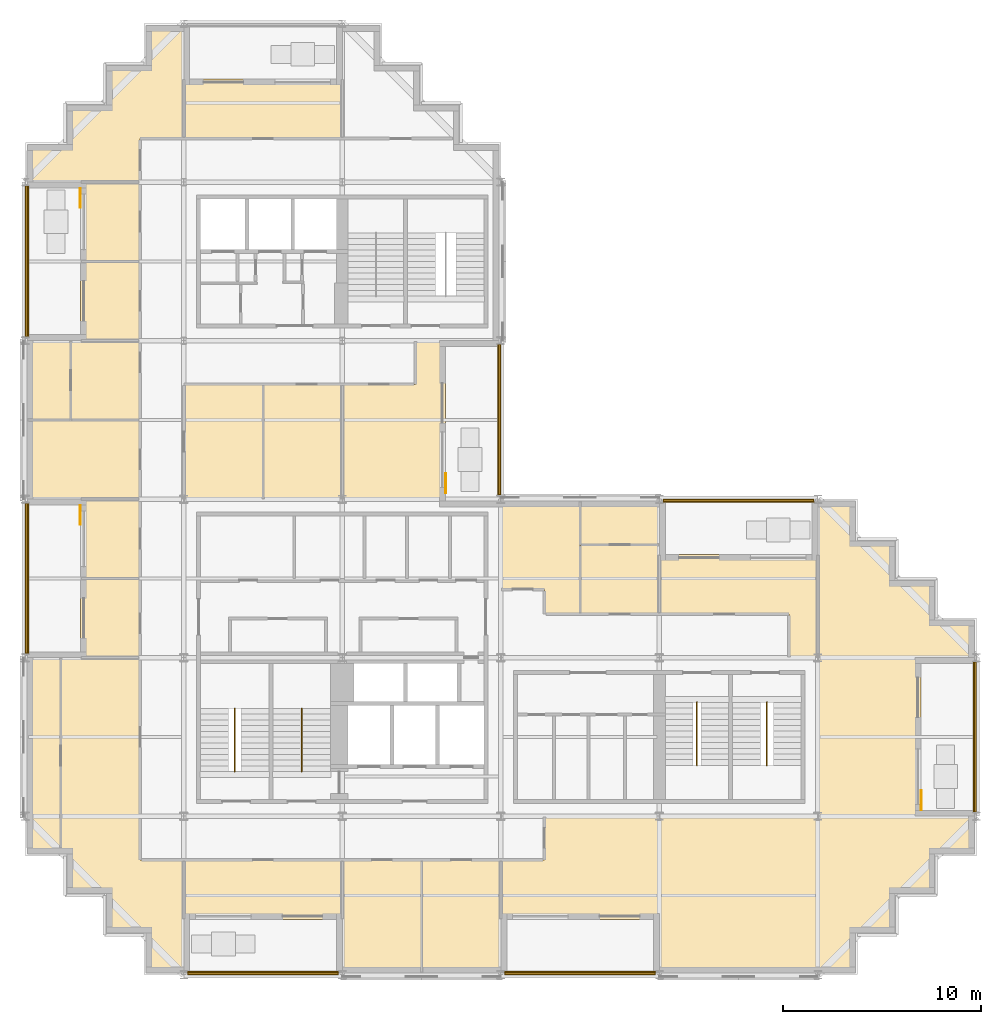
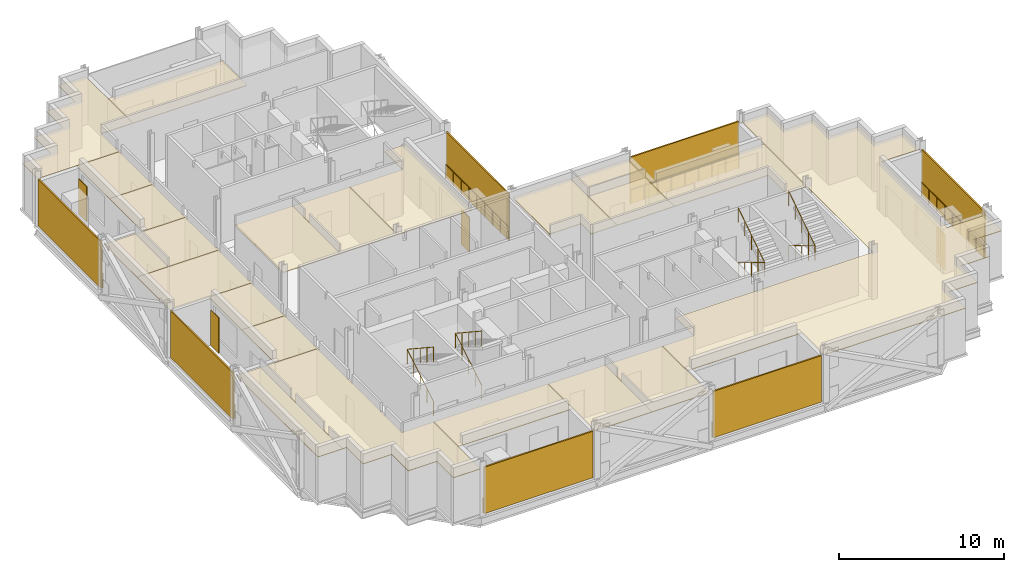
# One storey, part 11 of 13: 22 coverings, 11 railings, 11 shading devices.
"""IFC4 building model written with IfcOpenShell, lengths in metres."""

from ifc_helpers import new_model, si_unit, direction, frame, origin, origin_2d, place, context, subcontext, project, spatial, polyline, rectangle, circle, outline, extrude, material, layer, layer_set, type_object, element, save


model = new_model("IFC4")

# Units and contexts
model_context = context("Model", 3, precision=1e-05, world=origin(), true_north=direction((0.0, 1.0)))
body_context = subcontext(model_context, "Body", "Model", "MODEL_VIEW")
ifc_project = project(units=[si_unit("LENGTHUNIT", "METRE"), si_unit("AREAUNIT", "SQUARE_METRE"), si_unit("VOLUMEUNIT", "CUBIC_METRE"), si_unit("PLANEANGLEUNIT", "RADIAN"), si_unit("MASSUNIT", "GRAM", prefix="KILO")], contexts=[model_context])

# Site, building, storey
site_placement = place(None, origin())
site = spatial("IfcSite", under=ifc_project, at=site_placement, CompositionType="ELEMENT")
building_placement = place(site_placement, origin())
building = spatial("IfcBuilding", under=site, at=building_placement, Name="Immortelle Media Tower", CompositionType="ELEMENT")
storey_placement = place(building_placement, frame((0.0, 0.0, 166.199951171875)))
storey = spatial("IfcBuildingStorey", under=building, at=storey_placement, Name="L34", CompositionType="ELEMENT", Elevation=166.199951171875)

# Railings
ifc_material_1 = material(Name="Powder-coated aluminium fretwork panel, laminated glass backing", Category="aluminium")
railing_type_1 = type_object("IfcRailingType", Name="Fretwork balustrade 1100", PredefinedType="BALUSTRADE", material=ifc_material_1)
railing_1_placement = place(storey_placement, frame((8.202880859375, 0.139892578125, 0.0)))
element("IfcRailing", 1, at=railing_1_placement, inside=storey, type_object=railing_type_1, Name="Fretwork balustrade L34 S0", PredefinedType="BALUSTRADE", context=body_context, shape_type="SweptSolid", body=[
    extrude(circle(Radius=0.02490234375, at=origin_2d()), frame((0.0, 0.0, 1.0751953125), z_axis=(1.0, 0.0, 0.0), x_axis=(0.0, 1.0, 0.0)), (0.0, 0.0, 1.0), 7.591552734375),
    extrude(circle(Radius=0.02001953125, at=origin_2d()), origin(), (0.0, 0.0, 1.0), 1.050048828125),
    extrude(circle(Radius=0.02001953125, at=origin_2d()), frame((0.948974609375, 0.0, 0.0)), (0.0, 0.0, 1.0), 1.050048828125),
    extrude(circle(Radius=0.02001953125, at=origin_2d()), frame((1.89794921875, 0.0, 0.0)), (0.0, 0.0, 1.0), 1.050048828125),
    extrude(circle(Radius=0.02001953125, at=origin_2d()), frame((2.846923828125, 0.0, 0.0)), (0.0, 0.0, 1.0), 1.050048828125),
    extrude(circle(Radius=0.02001953125, at=origin_2d()), frame((3.7958984375, 0.0, 0.0)), (0.0, 0.0, 1.0), 1.050048828125),
    extrude(circle(Radius=0.02001953125, at=origin_2d()), frame((4.74462890625, 0.0, 0.0)), (0.0, 0.0, 1.0), 1.050048828125),
    extrude(circle(Radius=0.02001953125, at=origin_2d()), frame((5.693603515625, 0.0, 0.0)), (0.0, 0.0, 1.0), 1.050048828125),
    extrude(circle(Radius=0.02001953125, at=origin_2d()), frame((6.642578125, 0.0, 0.0)), (0.0, 0.0, 1.0), 1.050048828125),
    extrude(circle(Radius=0.02001953125, at=origin_2d()), frame((7.591552734375, 0.0, 0.0)), (0.0, 0.0, 1.0), 1.050048828125),
])
railing_2_placement = place(storey_placement, frame((24.20556640625, 0.139892578125, 0.0)))
element("IfcRailing", 2, at=railing_2_placement, inside=storey, type_object=railing_type_1, Name="Fretwork balustrade L34 S2", PredefinedType="BALUSTRADE", context=body_context, shape_type="SweptSolid", body=[
    extrude(circle(Radius=0.02490234375, at=origin_2d()), frame((0.0, 0.0, 1.0751953125), z_axis=(1.0, 0.0, 0.0), x_axis=(0.0, 1.0, 0.0)), (0.0, 0.0, 1.0), 7.5888671875),
    extrude(circle(Radius=0.02001953125, at=origin_2d()), origin(), (0.0, 0.0, 1.0), 1.050048828125),
    extrude(circle(Radius=0.02001953125, at=origin_2d()), frame((0.94873046875, 0.0, 0.0)), (0.0, 0.0, 1.0), 1.050048828125),
    extrude(circle(Radius=0.02001953125, at=origin_2d()), frame((1.897216796875, 0.0, 0.0)), (0.0, 0.0, 1.0), 1.050048828125),
    extrude(circle(Radius=0.02001953125, at=origin_2d()), frame((2.845703125, 0.0, 0.0)), (0.0, 0.0, 1.0), 1.050048828125),
    extrude(circle(Radius=0.02001953125, at=origin_2d()), frame((3.79443359375, 0.0, 0.0)), (0.0, 0.0, 1.0), 1.050048828125),
    extrude(circle(Radius=0.02001953125, at=origin_2d()), frame((4.7431640625, 0.0, 0.0)), (0.0, 0.0, 1.0), 1.050048828125),
    extrude(circle(Radius=0.02001953125, at=origin_2d()), frame((5.691650390625, 0.0, 0.0)), (0.0, 0.0, 1.0), 1.050048828125),
    extrude(circle(Radius=0.02001953125, at=origin_2d()), frame((6.64013671875, 0.0, 0.0)), (0.0, 0.0, 1.0), 1.050048828125),
    extrude(circle(Radius=0.02001953125, at=origin_2d()), frame((7.5888671875, 0.0, 0.0)), (0.0, 0.0, 1.0), 1.050048828125),
])
railing_3_placement = place(storey_placement, frame((47.860107421875, 8.20849609375, 0.0)))
element("IfcRailing", 3, at=railing_3_placement, inside=storey, type_object=railing_type_1, Name="Fretwork balustrade L34 E0", PredefinedType="BALUSTRADE", context=body_context, shape_type="SweptSolid", body=[
    extrude(circle(Radius=0.02490234375, at=origin_2d()), frame((0.0, 0.0, 1.0751953125), z_axis=(0.0, 1.0, 0.0), x_axis=(-1.0, 0.0, 0.0)), (0.0, 0.0, 1.0), 7.5830078125),
    extrude(circle(Radius=0.02001953125, at=origin_2d()), origin(), (0.0, 0.0, 1.0), 1.050048828125),
    extrude(circle(Radius=0.02001953125, at=origin_2d()), frame((0.0, 0.94775390625, 0.0)), (0.0, 0.0, 1.0), 1.050048828125),
    extrude(circle(Radius=0.02001953125, at=origin_2d()), frame((0.0, 1.895751953125, 0.0)), (0.0, 0.0, 1.0), 1.050048828125),
    extrude(circle(Radius=0.02001953125, at=origin_2d()), frame((0.0, 2.84375, 0.0)), (0.0, 0.0, 1.0), 1.050048828125),
    extrude(circle(Radius=0.02001953125, at=origin_2d()), frame((0.0, 3.79150390625, 0.0)), (0.0, 0.0, 1.0), 1.050048828125),
    extrude(circle(Radius=0.02001953125, at=origin_2d()), frame((0.0, 4.7392578125, 0.0)), (0.0, 0.0, 1.0), 1.050048828125),
    extrude(circle(Radius=0.02001953125, at=origin_2d()), frame((0.0, 5.687255859375, 0.0)), (0.0, 0.0, 1.0), 1.050048828125),
    extrude(circle(Radius=0.02001953125, at=origin_2d()), frame((0.0, 6.63525390625, 0.0)), (0.0, 0.0, 1.0), 1.050048828125),
    extrude(circle(Radius=0.02001953125, at=origin_2d()), frame((0.0, 7.5830078125, 0.0)), (0.0, 0.0, 1.0), 1.050048828125),
])
railing_4_placement = place(storey_placement, frame((39.797119140625, 23.860107421875, 0.0)))
element("IfcRailing", 4, at=railing_4_placement, inside=storey, type_object=railing_type_1, Name="Fretwork balustrade L34 N0", PredefinedType="BALUSTRADE", context=body_context, shape_type="SweptSolid", body=[
    extrude(circle(Radius=0.02490234375, at=origin_2d()), frame((0.0, 0.0, 1.0751953125), z_axis=(-1.0, 0.0, 0.0), x_axis=(0.0, -1.0, 0.0)), (0.0, 0.0, 1.0), 7.591552734375),
    extrude(circle(Radius=0.02001953125, at=origin_2d()), origin(), (0.0, 0.0, 1.0), 1.050048828125),
    extrude(circle(Radius=0.02001953125, at=origin_2d()), frame((-0.948974609375, 0.0, 0.0)), (0.0, 0.0, 1.0), 1.050048828125),
    extrude(circle(Radius=0.02001953125, at=origin_2d()), frame((-1.89794921875, 0.0, 0.0)), (0.0, 0.0, 1.0), 1.050048828125),
    extrude(circle(Radius=0.02001953125, at=origin_2d()), frame((-2.846923828125, 0.0, 0.0)), (0.0, 0.0, 1.0), 1.050048828125),
    extrude(circle(Radius=0.02001953125, at=origin_2d()), frame((-3.7958984375, 0.0, 0.0)), (0.0, 0.0, 1.0), 1.050048828125),
    extrude(circle(Radius=0.02001953125, at=origin_2d()), frame((-4.74462890625, 0.0, 0.0)), (0.0, 0.0, 1.0), 1.050048828125),
    extrude(circle(Radius=0.02001953125, at=origin_2d()), frame((-5.693603515625, 0.0, 0.0)), (0.0, 0.0, 1.0), 1.050048828125),
    extrude(circle(Radius=0.02001953125, at=origin_2d()), frame((-6.642578125, 0.0, 0.0)), (0.0, 0.0, 1.0), 1.050048828125),
    extrude(circle(Radius=0.02001953125, at=origin_2d()), frame((-7.591552734375, 0.0, 0.0)), (0.0, 0.0, 1.0), 1.050048828125),
])
railing_5_placement = place(storey_placement, frame((23.860107421875, 24.217041015625, 0.0)))
element("IfcRailing", 5, at=railing_5_placement, inside=storey, type_object=railing_type_1, Name="Fretwork balustrade L34 E0", PredefinedType="BALUSTRADE", context=body_context, shape_type="SweptSolid", body=[
    extrude(circle(Radius=0.02490234375, at=origin_2d()), frame((0.0, 0.0, 1.0751953125), z_axis=(0.0, 1.0, 0.0), x_axis=(-1.0, 0.0, 0.0)), (0.0, 0.0, 1.0), 7.58984375),
    extrude(circle(Radius=0.02001953125, at=origin_2d()), origin(), (0.0, 0.0, 1.0), 1.050048828125),
    extrude(circle(Radius=0.02001953125, at=origin_2d()), frame((0.0, 0.94873046875, 0.0)), (0.0, 0.0, 1.0), 1.050048828125),
    extrude(circle(Radius=0.02001953125, at=origin_2d()), frame((0.0, 1.8974609375, 0.0)), (0.0, 0.0, 1.0), 1.050048828125),
    extrude(circle(Radius=0.02001953125, at=origin_2d()), frame((0.0, 2.84619140625, 0.0)), (0.0, 0.0, 1.0), 1.050048828125),
    extrude(circle(Radius=0.02001953125, at=origin_2d()), frame((0.0, 3.794921875, 0.0)), (0.0, 0.0, 1.0), 1.050048828125),
    extrude(circle(Radius=0.02001953125, at=origin_2d()), frame((0.0, 4.74365234375, 0.0)), (0.0, 0.0, 1.0), 1.050048828125),
    extrude(circle(Radius=0.02001953125, at=origin_2d()), frame((0.0, 5.6923828125, 0.0)), (0.0, 0.0, 1.0), 1.050048828125),
    extrude(circle(Radius=0.02001953125, at=origin_2d()), frame((0.0, 6.64111328125, 0.0)), (0.0, 0.0, 1.0), 1.050048828125),
    extrude(circle(Radius=0.02001953125, at=origin_2d()), frame((0.0, 7.58984375, 0.0)), (0.0, 0.0, 1.0), 1.050048828125),
])
railing_6_placement = place(storey_placement, frame((0.139892578125, 39.81591796875, 0.0)))
element("IfcRailing", 6, at=railing_6_placement, inside=storey, type_object=railing_type_1, Name="Fretwork balustrade L34 W0", PredefinedType="BALUSTRADE", context=body_context, shape_type="SweptSolid", body=[
    extrude(circle(Radius=0.02490234375, at=origin_2d()), frame((0.0, 0.0, 1.0751953125), z_axis=(0.0, -1.0, 0.0), x_axis=(1.0, 0.0, 0.0)), (0.0, 0.0, 1.0), 7.622802734375),
    extrude(circle(Radius=0.02001953125, at=origin_2d()), origin(), (0.0, 0.0, 1.0), 1.050048828125),
    extrude(circle(Radius=0.02001953125, at=origin_2d()), frame((0.0, -0.952880859375, 0.0)), (0.0, 0.0, 1.0), 1.050048828125),
    extrude(circle(Radius=0.02001953125, at=origin_2d()), frame((0.0, -1.90576171875, 0.0)), (0.0, 0.0, 1.0), 1.050048828125),
    extrude(circle(Radius=0.02001953125, at=origin_2d()), frame((0.0, -2.858642578125, 0.0)), (0.0, 0.0, 1.0), 1.050048828125),
    extrude(circle(Radius=0.02001953125, at=origin_2d()), frame((0.0, -3.8115234375, 0.0)), (0.0, 0.0, 1.0), 1.050048828125),
    extrude(circle(Radius=0.02001953125, at=origin_2d()), frame((0.0, -4.76416015625, 0.0)), (0.0, 0.0, 1.0), 1.050048828125),
    extrude(circle(Radius=0.02001953125, at=origin_2d()), frame((0.0, -5.717041015625, 0.0)), (0.0, 0.0, 1.0), 1.050048828125),
    extrude(circle(Radius=0.02001953125, at=origin_2d()), frame((0.0, -6.669921875, 0.0)), (0.0, 0.0, 1.0), 1.050048828125),
    extrude(circle(Radius=0.02001953125, at=origin_2d()), frame((0.0, -7.622802734375, 0.0)), (0.0, 0.0, 1.0), 1.050048828125),
])
railing_7_placement = place(storey_placement, frame((0.139892578125, 23.806884765625, 0.0)))
element("IfcRailing", 7, at=railing_7_placement, inside=storey, type_object=railing_type_1, Name="Fretwork balustrade L34 W2", PredefinedType="BALUSTRADE", context=body_context, shape_type="SweptSolid", body=[
    extrude(circle(Radius=0.02490234375, at=origin_2d()), frame((0.0, 0.0, 1.0751953125), z_axis=(0.0, -1.0, 0.0), x_axis=(1.0, 0.0, 0.0)), (0.0, 0.0, 1.0), 7.58984375),
    extrude(circle(Radius=0.02001953125, at=origin_2d()), origin(), (0.0, 0.0, 1.0), 1.050048828125),
    extrude(circle(Radius=0.02001953125, at=origin_2d()), frame((0.0, -0.94873046875, 0.0)), (0.0, 0.0, 1.0), 1.050048828125),
    extrude(circle(Radius=0.02001953125, at=origin_2d()), frame((0.0, -1.8974609375, 0.0)), (0.0, 0.0, 1.0), 1.050048828125),
    extrude(circle(Radius=0.02001953125, at=origin_2d()), frame((0.0, -2.84619140625, 0.0)), (0.0, 0.0, 1.0), 1.050048828125),
    extrude(circle(Radius=0.02001953125, at=origin_2d()), frame((0.0, -3.794921875, 0.0)), (0.0, 0.0, 1.0), 1.050048828125),
    extrude(circle(Radius=0.02001953125, at=origin_2d()), frame((0.0, -4.74365234375, 0.0)), (0.0, 0.0, 1.0), 1.050048828125),
    extrude(circle(Radius=0.02001953125, at=origin_2d()), frame((0.0, -5.6923828125, 0.0)), (0.0, 0.0, 1.0), 1.050048828125),
    extrude(circle(Radius=0.02001953125, at=origin_2d()), frame((0.0, -6.64111328125, 0.0)), (0.0, 0.0, 1.0), 1.050048828125),
    extrude(circle(Radius=0.02001953125, at=origin_2d()), frame((0.0, -7.58984375, 0.0)), (0.0, 0.0, 1.0), 1.050048828125),
])

# Shading devices
ifc_material_2 = material(Name="Pale aluminium louvre blades", Category="aluminium")
ifc_layer_1 = layer(ifc_material_2, 0.10009765625)
ifc_layer_set_1 = layer_set([ifc_layer_1], Name="Pale aluminium louvre blades")
shading_device_type_1 = type_object("IfcShadingDeviceType", Name="Jalousie screen 100", PredefinedType="JALOUSIE", material=ifc_layer_set_1)
shading_device_1_placement = place(storey_placement, frame((11.998779296875, 0.050048828125, 0.0), z_axis=(0.0, 0.0, 1.0), x_axis=(1.0, 0.0, 0.0)))
element("IfcShadingDevice", 8, at=shading_device_1_placement, inside=storey, type_object=shading_device_type_1, Name="Jalousie screen L34 S0", PredefinedType="JALOUSIE", context=body_context, shape_type="SweptSolid", body=[
    extrude(rectangle(XDim=7.591552734375, YDim=0.10009765625, at=origin_2d()), origin(), (0.0, 0.0, 1.0), 3.43798828125),
])
shading_device_2_placement = place(storey_placement, frame((28.0, 0.050048828125, 0.0), z_axis=(0.0, 0.0, 1.0), x_axis=(1.0, 0.0, 0.0)))
element("IfcShadingDevice", 9, at=shading_device_2_placement, inside=storey, type_object=shading_device_type_1, Name="Jalousie screen L34 S2", PredefinedType="JALOUSIE", context=body_context, shape_type="SweptSolid", body=[
    extrude(rectangle(XDim=7.589111328125, YDim=0.10009765625, at=origin_2d()), origin(), (0.0, 0.0, 1.0), 3.43798828125),
])
shading_device_3_placement = place(storey_placement, frame((47.949951171875, 12.0, 0.0), z_axis=(0.0, 0.0, 1.0), x_axis=(0.0, 1.0, 0.0)))
element("IfcShadingDevice", 10, at=shading_device_3_placement, inside=storey, type_object=shading_device_type_1, Name="Jalousie screen L34 E0", PredefinedType="JALOUSIE", context=body_context, shape_type="SweptSolid", body=[
    extrude(rectangle(XDim=7.5830078125, YDim=0.10009765625, at=origin_2d()), origin(), (0.0, 0.0, 1.0), 3.43798828125),
])
shading_device_4_placement = place(storey_placement, frame((36.001220703125, 23.949951171875, 0.0), z_axis=(0.0, 0.0, 1.0), x_axis=(-1.0, 0.0, 0.0)))
element("IfcShadingDevice", 11, at=shading_device_4_placement, inside=storey, type_object=shading_device_type_1, Name="Jalousie screen L34 N0", PredefinedType="JALOUSIE", context=body_context, shape_type="SweptSolid", body=[
    extrude(rectangle(XDim=7.591552734375, YDim=0.10009765625, at=origin_2d()), origin(), (0.0, 0.0, 1.0), 3.43798828125),
])
shading_device_5_placement = place(storey_placement, frame((23.949951171875, 28.011962890625, 0.0), z_axis=(0.0, 0.0, 1.0), x_axis=(0.0, 1.0, 0.0)))
element("IfcShadingDevice", 12, at=shading_device_5_placement, inside=storey, type_object=shading_device_type_1, Name="Jalousie screen L34 E0", PredefinedType="JALOUSIE", context=body_context, shape_type="SweptSolid", body=[
    extrude(rectangle(XDim=7.590087890625, YDim=0.10009765625, at=origin_2d()), origin(), (0.0, 0.0, 1.0), 3.43798828125),
])
shading_device_6_placement = place(storey_placement, frame((0.050048828125, 36.00439453125, 0.0), z_axis=(0.0, 0.0, 1.0), x_axis=(0.0, -1.0, 0.0)))
element("IfcShadingDevice", 13, at=shading_device_6_placement, inside=storey, type_object=shading_device_type_1, Name="Jalousie screen L34 W0", PredefinedType="JALOUSIE", context=body_context, shape_type="SweptSolid", body=[
    extrude(rectangle(XDim=7.623046875, YDim=0.10009765625, at=origin_2d()), origin(), (0.0, 0.0, 1.0), 3.43798828125),
])
shading_device_7_placement = place(storey_placement, frame((0.050048828125, 20.011962890625, 0.0), z_axis=(0.0, 0.0, 1.0), x_axis=(0.0, -1.0, 0.0)))
element("IfcShadingDevice", 14, at=shading_device_7_placement, inside=storey, type_object=shading_device_type_1, Name="Jalousie screen L34 W2", PredefinedType="JALOUSIE", context=body_context, shape_type="SweptSolid", body=[
    extrude(rectangle(XDim=7.590087890625, YDim=0.10009765625, at=origin_2d()), origin(), (0.0, 0.0, 1.0), 3.43798828125),
])
ifc_material_3 = material(Name="Pale aluminium louvre blades in a folding frame", Category="aluminium")
ifc_layer_2 = layer(ifc_material_3, 0.050048828125)
ifc_layer_set_2 = layer_set([ifc_layer_2], Name="Pale aluminium louvre blades in a folding frame")
shading_device_type_2 = type_object("IfcShadingDeviceType", Name="Louvred loggia shutter", PredefinedType="SHUTTER", material=ifc_layer_set_2)
for number, where, z_axis, x_axis, name in (
    (15, (45.22509765625, 8.800048828125, 0.0), (0.0, 0.0, 1.0), (0.0, 1.0, 0.0), "Loggia shutter L34 E0"),
    (16, (21.22509765625, 24.800048828125, 0.0), (0.0, 0.0, 1.0), (0.0, 1.0, 0.0), "Loggia shutter L34 E0"),
    (17, (2.77490234375, 39.199951171875, 0.0), (0.0, 0.0, 1.0), (0.0, -1.0, 0.0), "Loggia shutter L34 W0"),
    (18, (2.77490234375, 23.199951171875, 0.0), (0.0, 0.0, 1.0), (0.0, -1.0, 0.0), "Loggia shutter L34 W2"),
):
    element("IfcShadingDevice", number, at=place(storey_placement, frame(where, z_axis=z_axis, x_axis=x_axis)), inside=storey, type_object=shading_device_type_2, Name=name, PredefinedType="SHUTTER", context=body_context, shape_type="SweptSolid", body=[
        extrude(rectangle(XDim=1.0, YDim=0.050048828125, at=origin_2d()), origin(), (0.0, 0.0, 1.0), 2.60009765625),
    ])

# Railings
ifc_material_4 = material(Name="Stainless steel AISI 316", Category="steel")
railing_type_2 = type_object("IfcRailingType", Name="Stair guard 1100", PredefinedType="GUARDRAIL", material=ifc_material_4)
for number, where, name in (
    (19, (10.574951171875, 10.25, 0.175048828125), "Stair guard SW1"),
    (20, (13.949951171875, 10.25, 0.175048828125), "Stair guard SW2"),
):
    element("IfcRailing", number, at=place(storey_placement, frame(where)), inside=storey, type_object=railing_type_2, Name=name, PredefinedType="GUARDRAIL", context=body_context, shape_type="SweptSolid", body=[
        extrude(circle(Radius=0.02392578125, at=origin_2d()), frame((0.0, 0.0, 1.076171875), z_axis=(0.0, 0.856177665481, 0.516681531633), x_axis=(-1.0, 0.0, 0.0)), (0.0, 0.0, 1.0), 3.725830078125),
        extrude(circle(Radius=0.02392578125, at=origin_2d()), frame((0.0, 3.18994140625, 3.0009765625), z_axis=(0.0, -0.835271834381, 0.549837214719), x_axis=(1.0, 0.0, 0.0)), (0.0, 0.0, 1.0), 3.819091796875),
        extrude(circle(Radius=0.02099609375, at=origin_2d()), origin(), (0.0, 0.0, 1.0), 1.052001953125),
        extrude(circle(Radius=0.02099609375, at=origin_2d()), frame((0.0, 0.79736328125, 0.481201171875)), (0.0, 0.0, 1.0), 1.052001953125),
        extrude(circle(Radius=0.02099609375, at=origin_2d()), frame((0.0, 1.594970703125, 0.96240234375)), (0.0, 0.0, 1.0), 1.052001953125),
        extrude(circle(Radius=0.02099609375, at=origin_2d()), frame((0.0, 2.392578125, 1.44384765625)), (0.0, 0.0, 1.0), 1.052001953125),
        extrude(circle(Radius=0.02099609375, at=origin_2d()), frame((0.0, 3.18994140625, 1.925048828125)), (0.0, 0.0, 1.0), 1.052001953125),
        extrude(circle(Radius=0.02099609375, at=origin_2d()), frame((0.0, 2.392578125, 2.449951171875)), (0.0, 0.0, 1.0), 1.052001953125),
        extrude(circle(Radius=0.02099609375, at=origin_2d()), frame((0.0, 1.594970703125, 2.97509765625)), (0.0, 0.0, 1.0), 1.052001953125),
        extrude(circle(Radius=0.02099609375, at=origin_2d()), frame((0.0, 0.79736328125, 3.5)), (0.0, 0.0, 1.0), 1.052001953125),
        extrude(circle(Radius=0.02099609375, at=origin_2d()), frame((0.0, 0.0, 4.02490234375)), (0.0, 0.0, 1.0), 1.052001953125),
    ])
for number, where, name in (
    (21, (33.89990234375, 13.75, 0.175048828125), "Stair guard SE1"),
    (22, (37.425048828125, 13.75, 0.175048828125), "Stair guard SE2"),
):
    element("IfcRailing", number, at=place(storey_placement, frame(where)), inside=storey, type_object=railing_type_2, Name=name, PredefinedType="GUARDRAIL", context=body_context, shape_type="SweptSolid", body=[
        extrude(circle(Radius=0.02392578125, at=origin_2d()), frame((0.0, 0.0, 1.076171875), z_axis=(0.0, -0.856177665481, 0.516681531633), x_axis=(1.0, 0.0, 0.0)), (0.0, 0.0, 1.0), 3.725830078125),
        extrude(circle(Radius=0.02392578125, at=origin_2d()), frame((0.0, -3.18994140625, 3.0009765625), z_axis=(0.0, 0.835271834381, 0.549837214719), x_axis=(-1.0, 0.0, 0.0)), (0.0, 0.0, 1.0), 3.819091796875),
        extrude(circle(Radius=0.02099609375, at=origin_2d()), origin(), (0.0, 0.0, 1.0), 1.052001953125),
        extrude(circle(Radius=0.02099609375, at=origin_2d()), frame((0.0, -0.79736328125, 0.481201171875)), (0.0, 0.0, 1.0), 1.052001953125),
        extrude(circle(Radius=0.02099609375, at=origin_2d()), frame((0.0, -1.594970703125, 0.96240234375)), (0.0, 0.0, 1.0), 1.052001953125),
        extrude(circle(Radius=0.02099609375, at=origin_2d()), frame((0.0, -2.392578125, 1.44384765625)), (0.0, 0.0, 1.0), 1.052001953125),
        extrude(circle(Radius=0.02099609375, at=origin_2d()), frame((0.0, -3.18994140625, 1.925048828125)), (0.0, 0.0, 1.0), 1.052001953125),
        extrude(circle(Radius=0.02099609375, at=origin_2d()), frame((0.0, -2.392578125, 2.449951171875)), (0.0, 0.0, 1.0), 1.052001953125),
        extrude(circle(Radius=0.02099609375, at=origin_2d()), frame((0.0, -1.594970703125, 2.97509765625)), (0.0, 0.0, 1.0), 1.052001953125),
        extrude(circle(Radius=0.02099609375, at=origin_2d()), frame((0.0, -0.79736328125, 3.5)), (0.0, 0.0, 1.0), 1.052001953125),
        extrude(circle(Radius=0.02099609375, at=origin_2d()), frame((0.0, 0.0, 4.02490234375)), (0.0, 0.0, 1.0), 1.052001953125),
    ])

# Coverings
ifc_material_5 = material(Name="Mineral fibre tile ceiling")
ifc_layer_3 = layer(ifc_material_5, 0.050048828125)
ifc_layer_set_3 = layer_set([ifc_layer_3], Name="Mineral fibre tile ceiling")
covering_type = type_object("IfcCoveringType", Name="Suspended ceiling 50", PredefinedType="CEILING", material=ifc_layer_set_3)
covering_1_placement = place(storey_placement, frame((0.0, 0.0, 3.303955078125)))
element("IfcCovering", 23, at=covering_1_placement, inside=storey, type_object=covering_type, Name="Ceiling L34-001", PredefinedType="CEILING", context=body_context, shape_type="SweptSolid", body=[
    extrude(outline(polyline([(16.0, 2.800048828125), (16.0, 5.800048828125), (20.0, 5.800048828125), (20.0, 0.10009765625), (16.0, 0.10009765625), (16.0, 2.800048828125)])), origin(), (0.0, 0.0, 1.0), 0.050048828125),
])
covering_2_placement = place(storey_placement, frame((0.0, 0.0, 3.303955078125)))
element("IfcCovering", 24, at=covering_2_placement, inside=storey, type_object=covering_type, Name="Ceiling L34-002", PredefinedType="CEILING", context=body_context, shape_type="SweptSolid", body=[
    extrude(outline(polyline([(24.0, 5.800048828125), (24.0, 2.800048828125), (24.0, 0.10009765625), (20.0, 0.10009765625), (20.0, 5.800048828125), (24.0, 5.800048828125)])), origin(), (0.0, 0.0, 1.0), 0.050048828125),
])
covering_3_placement = place(storey_placement, frame((0.0, 0.0, 3.303955078125)))
element("IfcCovering", 25, at=covering_3_placement, inside=storey, type_object=covering_type, Name="Ceiling L34-003", PredefinedType="CEILING", context=body_context, shape_type="SweptSolid", body=[
    extrude(outline(polyline([(8.0, 2.800048828125), (8.0, 5.800048828125), (16.0, 5.800048828125), (16.0, 2.800048828125), (8.0, 2.800048828125)])), origin(), (0.0, 0.0, 1.0), 0.050048828125),
])
covering_4_placement = place(storey_placement, frame((0.0, 0.0, 3.303955078125)))
element("IfcCovering", 26, at=covering_4_placement, inside=storey, type_object=covering_type, Name="Ceiling L34-004", PredefinedType="CEILING", context=body_context, shape_type="SweptSolid", body=[
    extrude(outline(polyline([(26.199951171875, 5.800048828125), (26.199951171875, 8.0), (32.0, 8.0), (40.0, 8.0), (40.0, 16.0), (40.0, 21.199951171875), (40.0, 23.89990234375), (41.89990234375, 23.89990234375), (41.89990234375, 21.89990234375), (43.89990234375, 21.89990234375), (43.89990234375, 19.89990234375), (45.89990234375, 19.89990234375), (45.89990234375, 17.89990234375), (47.89990234375, 17.89990234375), (47.89990234375, 16.0), (45.199951171875, 16.0), (45.199951171875, 8.0), (47.89990234375, 8.0), (47.89990234375, 6.10009765625), (45.89990234375, 6.10009765625), (45.89990234375, 4.10009765625), (43.89990234375, 4.10009765625), (43.89990234375, 2.10009765625), (41.89990234375, 2.10009765625), (41.89990234375, 0.10009765625), (40.0, 0.10009765625), (32.0, 0.10009765625), (32.0, 2.800048828125), (24.0, 2.800048828125), (24.0, 5.800048828125), (26.199951171875, 5.800048828125)])), origin(), (0.0, 0.0, 1.0), 0.050048828125),
])
covering_5_placement = place(storey_placement, frame((0.0, 0.0, 3.303955078125)))
element("IfcCovering", 27, at=covering_5_placement, inside=storey, type_object=covering_type, Name="Ceiling L34-005", PredefinedType="CEILING", context=body_context, shape_type="SweptSolid", body=[
    extrude(outline(polyline([(4.10009765625, 4.10009765625), (2.10009765625, 4.10009765625), (2.10009765625, 6.10009765625), (1.800048828125, 6.10009765625), (1.800048828125, 16.0), (2.800048828125, 16.0), (5.800048828125, 16.0), (5.800048828125, 8.0), (5.800048828125, 5.800048828125), (8.0, 5.800048828125), (8.0, 4.0), (8.0, 2.800048828125), (8.0, 0.10009765625), (6.10009765625, 0.10009765625), (6.10009765625, 2.10009765625), (4.10009765625, 2.10009765625), (4.10009765625, 4.0), (4.10009765625, 4.10009765625)])), origin(), (0.0, 0.0, 1.0), 0.050048828125),
])
covering_6_placement = place(storey_placement, frame((0.0, 0.0, 3.303955078125)))
element("IfcCovering", 28, at=covering_6_placement, inside=storey, type_object=covering_type, Name="Ceiling L34-006", PredefinedType="CEILING", context=body_context, shape_type="SweptSolid", body=[
    extrude(outline(polyline([(0.10009765625, 6.10009765625), (0.10009765625, 8.0), (0.10009765625, 16.0), (1.800048828125, 16.0), (1.800048828125, 6.10009765625), (0.10009765625, 6.10009765625)])), origin(), (0.0, 0.0, 1.0), 0.050048828125),
])
covering_7_placement = place(storey_placement, frame((0.0, 0.0, 3.303955078125)))
element("IfcCovering", 29, at=covering_7_placement, inside=storey, type_object=covering_type, Name="Ceiling L34-007", PredefinedType="CEILING", context=body_context, shape_type="SweptSolid", body=[
    extrude(outline(polyline([(38.550048828125, 16.0), (38.550048828125, 18.199951171875), (32.0, 18.199951171875), (32.0, 21.199951171875), (40.0, 21.199951171875), (40.0, 16.0), (38.550048828125, 16.0)])), origin(), (0.0, 0.0, 1.0), 0.050048828125),
])
covering_8_placement = place(storey_placement, frame((0.0, 0.0, 3.303955078125)))
element("IfcCovering", 30, at=covering_8_placement, inside=storey, type_object=covering_type, Name="Ceiling L34-008", PredefinedType="CEILING", context=body_context, shape_type="SweptSolid", body=[
    extrude(outline(polyline([(5.800048828125, 16.0), (2.800048828125, 16.0), (2.800048828125, 20.0), (5.800048828125, 20.0), (5.800048828125, 19.449951171875), (5.800048828125, 16.0)])), origin(), (0.0, 0.0, 1.0), 0.050048828125),
])
covering_9_placement = place(storey_placement, frame((0.0, 0.0, 3.303955078125)))
element("IfcCovering", 31, at=covering_9_placement, inside=storey, type_object=covering_type, Name="Ceiling L34-009", PredefinedType="CEILING", context=body_context, shape_type="SweptSolid", body=[
    extrude(outline(polyline([(2.800048828125, 24.0), (5.800048828125, 24.0), (5.800048828125, 20.0), (2.800048828125, 20.0), (2.800048828125, 24.0)])), origin(), (0.0, 0.0, 1.0), 0.050048828125),
])
covering_10_placement = place(storey_placement, frame((0.0, 0.0, 3.303955078125)))
element("IfcCovering", 32, at=covering_10_placement, inside=storey, type_object=covering_type, Name="Ceiling L34-010", PredefinedType="CEILING", context=body_context, shape_type="SweptSolid", body=[
    extrude(outline(polyline([(26.199951171875, 18.199951171875), (26.199951171875, 19.449951171875), (24.0, 19.449951171875), (24.0, 23.89990234375), (28.0, 23.89990234375), (28.0, 18.199951171875), (27.0, 18.199951171875), (26.199951171875, 18.199951171875)])), origin(), (0.0, 0.0, 1.0), 0.050048828125),
])
covering_11_placement = place(storey_placement, frame((0.0, 0.0, 3.303955078125)))
element("IfcCovering", 33, at=covering_11_placement, inside=storey, type_object=covering_type, Name="Ceiling L34-011", PredefinedType="CEILING", context=body_context, shape_type="SweptSolid", body=[
    extrude(outline(polyline([(32.0, 21.199951171875), (32.0, 18.199951171875), (28.0, 18.199951171875), (28.0, 21.699951171875), (32.0, 21.699951171875), (32.0, 21.199951171875)])), origin(), (0.0, 0.0, 1.0), 0.050048828125),
])
covering_12_placement = place(storey_placement, frame((0.0, 0.0, 3.303955078125)))
element("IfcCovering", 34, at=covering_12_placement, inside=storey, type_object=covering_type, Name="Ceiling L34-012", PredefinedType="CEILING", context=body_context, shape_type="SweptSolid", body=[
    extrude(outline(polyline([(32.0, 21.699951171875), (28.0, 21.699951171875), (28.0, 23.89990234375), (32.0, 23.89990234375), (32.0, 21.699951171875)])), origin(), (0.0, 0.0, 1.0), 0.050048828125),
])
covering_13_placement = place(storey_placement, frame((0.0, 0.0, 3.303955078125)))
element("IfcCovering", 35, at=covering_13_placement, inside=storey, type_object=covering_type, Name="Ceiling L34-013", PredefinedType="CEILING", context=body_context, shape_type="SweptSolid", body=[
    extrude(outline(polyline([(8.0, 29.800048828125), (12.0, 29.800048828125), (12.0, 24.0), (8.0, 24.0), (8.0, 29.800048828125)])), origin(), (0.0, 0.0, 1.0), 0.050048828125),
])
covering_14_placement = place(storey_placement, frame((0.0, 0.0, 3.303955078125)))
element("IfcCovering", 36, at=covering_14_placement, inside=storey, type_object=covering_type, Name="Ceiling L34-014", PredefinedType="CEILING", context=body_context, shape_type="SweptSolid", body=[
    extrude(outline(polyline([(12.199951171875, 29.800048828125), (12.39990234375, 29.800048828125), (16.0, 29.800048828125), (16.0, 24.0), (12.0, 24.0), (12.0, 29.800048828125), (12.199951171875, 29.800048828125)])), origin(), (0.0, 0.0, 1.0), 0.050048828125),
])
covering_15_placement = place(storey_placement, frame((0.0, 0.0, 3.303955078125)))
element("IfcCovering", 37, at=covering_15_placement, inside=storey, type_object=covering_type, Name="Ceiling L34-015", PredefinedType="CEILING", context=body_context, shape_type="SweptSolid", body=[
    extrude(outline(polyline([(16.0, 24.0), (16.0, 29.800048828125), (19.699951171875, 29.800048828125), (19.699951171875, 32.0), (21.199951171875, 32.0), (21.199951171875, 24.0), (16.0, 24.0)])), origin(), (0.0, 0.0, 1.0), 0.050048828125),
])
covering_16_placement = place(storey_placement, frame((0.0, 0.0, 3.303955078125)))
element("IfcCovering", 38, at=covering_16_placement, inside=storey, type_object=covering_type, Name="Ceiling L34-016", PredefinedType="CEILING", context=body_context, shape_type="SweptSolid", body=[
    extrude(outline(polyline([(5.800048828125, 24.0), (2.800048828125, 24.0), (0.10009765625, 24.0), (0.10009765625, 28.0), (5.800048828125, 28.0), (5.800048828125, 24.0)])), origin(), (0.0, 0.0, 1.0), 0.050048828125),
])
covering_17_placement = place(storey_placement, frame((0.0, 0.0, 3.303955078125)))
element("IfcCovering", 39, at=covering_17_placement, inside=storey, type_object=covering_type, Name="Ceiling L34-017", PredefinedType="CEILING", context=body_context, shape_type="SweptSolid", body=[
    extrude(outline(polyline([(2.300048828125, 28.0), (2.300048828125, 32.0), (2.800048828125, 32.0), (5.800048828125, 32.0), (5.800048828125, 29.800048828125), (5.800048828125, 28.0), (2.300048828125, 28.0)])), origin(), (0.0, 0.0, 1.0), 0.050048828125),
])
covering_18_placement = place(storey_placement, frame((0.0, 0.0, 3.303955078125)))
element("IfcCovering", 40, at=covering_18_placement, inside=storey, type_object=covering_type, Name="Ceiling L34-018", PredefinedType="CEILING", context=body_context, shape_type="SweptSolid", body=[
    extrude(outline(polyline([(0.10009765625, 28.0), (0.10009765625, 32.0), (2.300048828125, 32.0), (2.300048828125, 28.0), (0.10009765625, 28.0)])), origin(), (0.0, 0.0, 1.0), 0.050048828125),
])
covering_19_placement = place(storey_placement, frame((0.0, 0.0, 3.303955078125)))
element("IfcCovering", 41, at=covering_19_placement, inside=storey, type_object=covering_type, Name="Ceiling L34-019", PredefinedType="CEILING", context=body_context, shape_type="SweptSolid", body=[
    extrude(outline(polyline([(5.800048828125, 32.0), (2.800048828125, 32.0), (2.800048828125, 36.0), (5.800048828125, 36.0), (5.800048828125, 32.0)])), origin(), (0.0, 0.0, 1.0), 0.050048828125),
])
covering_20_placement = place(storey_placement, frame((0.0, 0.0, 3.303955078125)))
element("IfcCovering", 42, at=covering_20_placement, inside=storey, type_object=covering_type, Name="Ceiling L34-020", PredefinedType="CEILING", context=body_context, shape_type="SweptSolid", body=[
    extrude(outline(polyline([(2.800048828125, 40.0), (5.800048828125, 40.0), (5.800048828125, 36.0), (2.800048828125, 36.0), (2.800048828125, 40.0)])), origin(), (0.0, 0.0, 1.0), 0.050048828125),
])
covering_21_placement = place(storey_placement, frame((0.0, 0.0, 3.303955078125)))
element("IfcCovering", 43, at=covering_21_placement, inside=storey, type_object=covering_type, Name="Ceiling L34-021", PredefinedType="CEILING", context=body_context, shape_type="SweptSolid", body=[
    extrude(outline(polyline([(2.800048828125, 40.0), (0.10009765625, 40.0), (0.10009765625, 41.89990234375), (2.10009765625, 41.89990234375), (2.10009765625, 43.89990234375), (4.10009765625, 43.89990234375), (4.10009765625, 44.0), (4.10009765625, 45.89990234375), (6.10009765625, 45.89990234375), (6.10009765625, 47.89990234375), (8.0, 47.89990234375), (8.0, 45.199951171875), (8.0, 44.0), (8.0, 42.199951171875), (5.800048828125, 42.199951171875), (5.800048828125, 40.0), (2.800048828125, 40.0)])), origin(), (0.0, 0.0, 1.0), 0.050048828125),
])
covering_22_placement = place(storey_placement, frame((0.0, 0.0, 3.303955078125)))
element("IfcCovering", 44, at=covering_22_placement, inside=storey, type_object=covering_type, Name="Ceiling L34-022", PredefinedType="CEILING", context=body_context, shape_type="SweptSolid", body=[
    extrude(outline(polyline([(8.0, 42.199951171875), (8.0, 45.199951171875), (16.0, 45.199951171875), (16.0, 42.199951171875), (8.0, 42.199951171875)])), origin(), (0.0, 0.0, 1.0), 0.050048828125),
])

save(model, "model.ifc")
